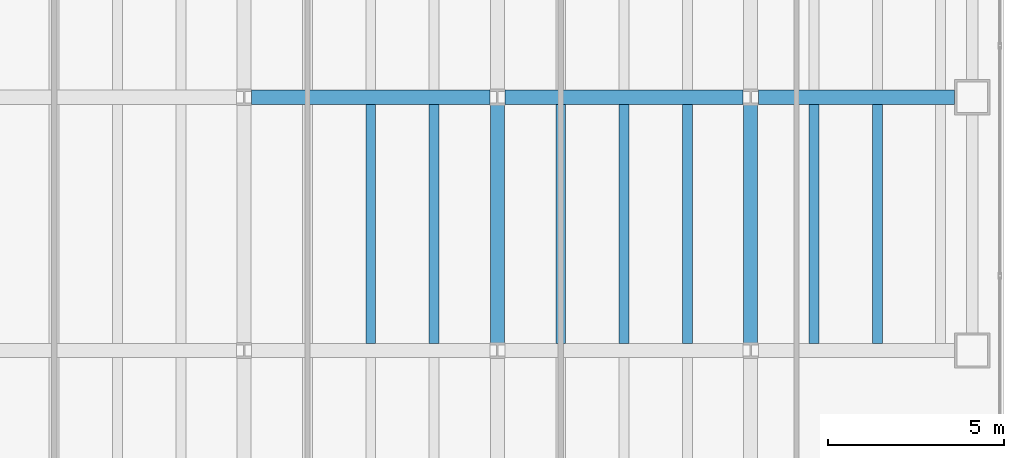
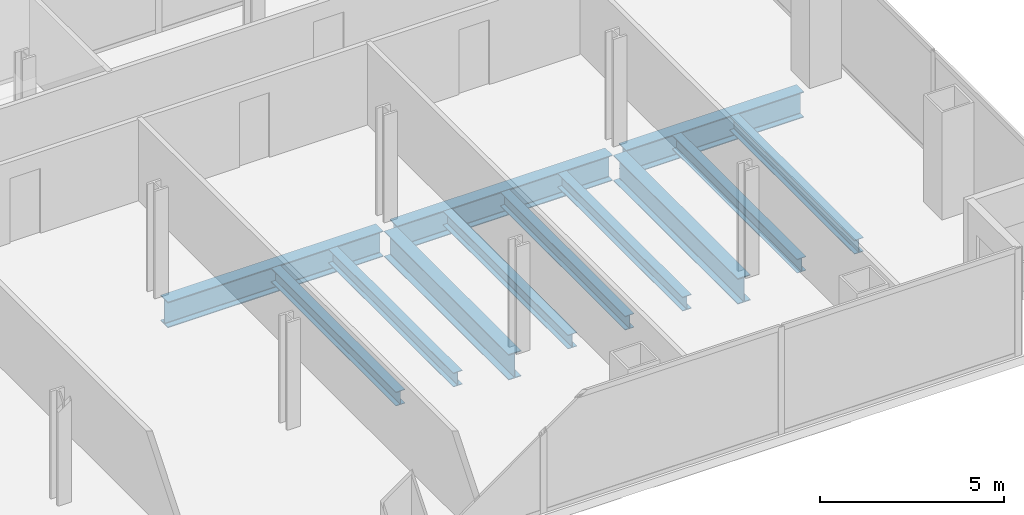
# One storey, part 9 of 23: 12 beams.
"""IFC4 building model written with IfcOpenShell, lengths in metres."""

from ifc_helpers import new_model, si_unit, direction, frame, origin, origin_2d, place, context, subcontext, project, spatial, i_section, extrude, material, material_profile, profile_set, type_object, element, save


model = new_model("IFC4")

# Units and contexts
model_context = context("Model", 3, precision=1e-05, world=origin(), true_north=direction((0.0, 1.0)))
body_context = subcontext(model_context, "Body", "Model", "MODEL_VIEW")
ifc_project = project(units=[si_unit("LENGTHUNIT", "METRE"), si_unit("AREAUNIT", "SQUARE_METRE"), si_unit("VOLUMEUNIT", "CUBIC_METRE"), si_unit("PLANEANGLEUNIT", "RADIAN"), si_unit("MASSUNIT", "GRAM", prefix="KILO")], contexts=[model_context])

# Site, building, storey
site_placement = place(None, origin())
site = spatial("IfcSite", under=ifc_project, at=site_placement, CompositionType="ELEMENT")
building_placement = place(site_placement, origin())
building = spatial("IfcBuilding", under=site, at=building_placement, Name="Cobrela Telecom Tower", CompositionType="ELEMENT")
storey_placement = place(building_placement, frame((0.0, 0.0, 50.39990234375)))
storey = spatial("IfcBuildingStorey", under=building, at=storey_placement, Name="L12", CompositionType="ELEMENT", Elevation=50.39990234375)

# Beams
ifc_material = material(Name="Steel ASTM A992 Grade 50", Category="steel")
ifc_material_profile_1 = material_profile(ifc_material, i_section(OverallWidth=0.39892578125, OverallDepth=0.85595703125, WebThickness=0.018310546875, FlangeThickness=0.029296875, FilletRadius=0.02001953125, at=origin_2d()), Name="W33X201")
ifc_profile_set_1 = profile_set([ifc_material_profile_1], Name="Steel ASTM A992 Grade 50")
beam_type_1 = type_object("IfcBeamType", Name="BM-GIRD-03", PredefinedType="USERDEFINED", material=ifc_profile_set_1)
for number, where, z_axis, x_axis, name in (
    (1, (29.01611328125, 14.39990234375, -0.7080078125), (1.0, 0.0, 0.0), (0.0, 1.0, 0.0), "L12 Primary Girder X15"),
    (2, (36.216064453125, 14.39990234375, -0.7080078125), (1.0, 0.0, 0.0), (0.0, 1.0, 0.0), "L12 Primary Girder X16"),
):
    element("IfcBeam", number, at=place(storey_placement, frame(where, z_axis=z_axis, x_axis=x_axis)), inside=storey, type_object=beam_type_1, Name=name, ObjectType="GIRDER", PredefinedType="USERDEFINED", context=body_context, shape_type="SweptSolid", body=[
        extrude(i_section(OverallWidth=0.39892578125, OverallDepth=0.85595703125, WebThickness=0.018310546875, FlangeThickness=0.029296875, FilletRadius=0.02001953125, at=origin_2d()), origin(), (0.0, 0.0, 1.0), 6.767822265625),
    ])
beam_placement = place(storey_placement, frame((43.416015625, 14.39990234375, -0.7080078125), z_axis=(1.0, 0.0, 0.0), x_axis=(0.0, 1.0, 0.0)))
element("IfcBeam", 3, at=beam_placement, inside=storey, type_object=beam_type_1, Name="L12 Primary Girder X17", ObjectType="GIRDER", PredefinedType="USERDEFINED", context=body_context, shape_type="SweptSolid", body=[
    extrude(i_section(OverallWidth=0.39892578125, OverallDepth=0.85595703125, WebThickness=0.018310546875, FlangeThickness=0.029296875, FilletRadius=0.02001953125, at=origin_2d()), origin(), (0.0, 0.0, 1.0), 5.5791015625),
])
for number, where, z_axis, x_axis, name in (
    (4, (36.0, 7.416015625, -0.7080078125), (0.0, 1.0, 0.0), (-1.0, 0.0, 0.0), "L12 Primary Girder Y51"),
    (5, (43.199951171875, 7.416015625, -0.7080078125), (0.0, 1.0, 0.0), (-1.0, 0.0, 0.0), "L12 Primary Girder Y54"),
):
    element("IfcBeam", number, at=place(storey_placement, frame(where, z_axis=z_axis, x_axis=x_axis)), inside=storey, type_object=beam_type_1, Name=name, ObjectType="GIRDER", PredefinedType="USERDEFINED", context=body_context, shape_type="SweptSolid", body=[
        extrude(i_section(OverallWidth=0.39892578125, OverallDepth=0.85595703125, WebThickness=0.018310546875, FlangeThickness=0.029296875, FilletRadius=0.02001953125, at=origin_2d()), origin(), (0.0, 0.0, 1.0), 6.76806640625),
    ])
ifc_material_profile_2 = material_profile(ifc_material, i_section(OverallWidth=0.281982421875, OverallDepth=0.467041015625, WebThickness=0.01220703125, FlangeThickness=0.01953125, FilletRadius=0.012939453125, at=origin_2d()), Name="W18X86")
ifc_profile_set_2 = profile_set([ifc_material_profile_2], Name="Steel ASTM A992 Grade 50")
beam_type_2 = type_object("IfcBeamType", Name="BM-JOIST-02", PredefinedType="JOIST", material=ifc_profile_set_2)
for number, where, z_axis, x_axis, name in (
    (6, (32.39990234375, 7.404541015625, -0.513427734375), (0.0, 1.0, 0.0), (-1.0, 0.0, 0.0), "L12 Secondary Composite Floor Beam J45"),
    (7, (34.199951171875, 7.404541015625, -0.513427734375), (0.0, 1.0, 0.0), (-1.0, 0.0, 0.0), "L12 Secondary Composite Floor Beam J48"),
    (8, (37.800048828125, 7.404541015625, -0.513427734375), (0.0, 1.0, 0.0), (-1.0, 0.0, 0.0), "L12 Secondary Composite Floor Beam J51"),
    (9, (39.60009765625, 7.404541015625, -0.513427734375), (0.0, 1.0, 0.0), (-1.0, 0.0, 0.0), "L12 Secondary Composite Floor Beam J54"),
    (10, (41.39990234375, 7.404541015625, -0.513427734375), (0.0, 1.0, 0.0), (-1.0, 0.0, 0.0), "L12 Secondary Composite Floor Beam J57"),
    (11, (45.0, 7.404541015625, -0.513427734375), (0.0, 1.0, 0.0), (-1.0, 0.0, 0.0), "L12 Secondary Composite Floor Beam J59"),
    (12, (46.800048828125, 7.404541015625, -0.513427734375), (0.0, 1.0, 0.0), (-1.0, 0.0, 0.0), "L12 Secondary Composite Floor Beam J61"),
):
    element("IfcBeam", number, at=place(storey_placement, frame(where, z_axis=z_axis, x_axis=x_axis)), inside=storey, type_object=beam_type_2, Name=name, PredefinedType="JOIST", context=body_context, shape_type="SweptSolid", body=[
        extrude(i_section(OverallWidth=0.281982421875, OverallDepth=0.467041015625, WebThickness=0.01220703125, FlangeThickness=0.01953125, FilletRadius=0.012939453125, at=origin_2d()), origin(), (0.0, 0.0, 1.0), 6.791015625),
    ])

save(model, "model.ifc")
